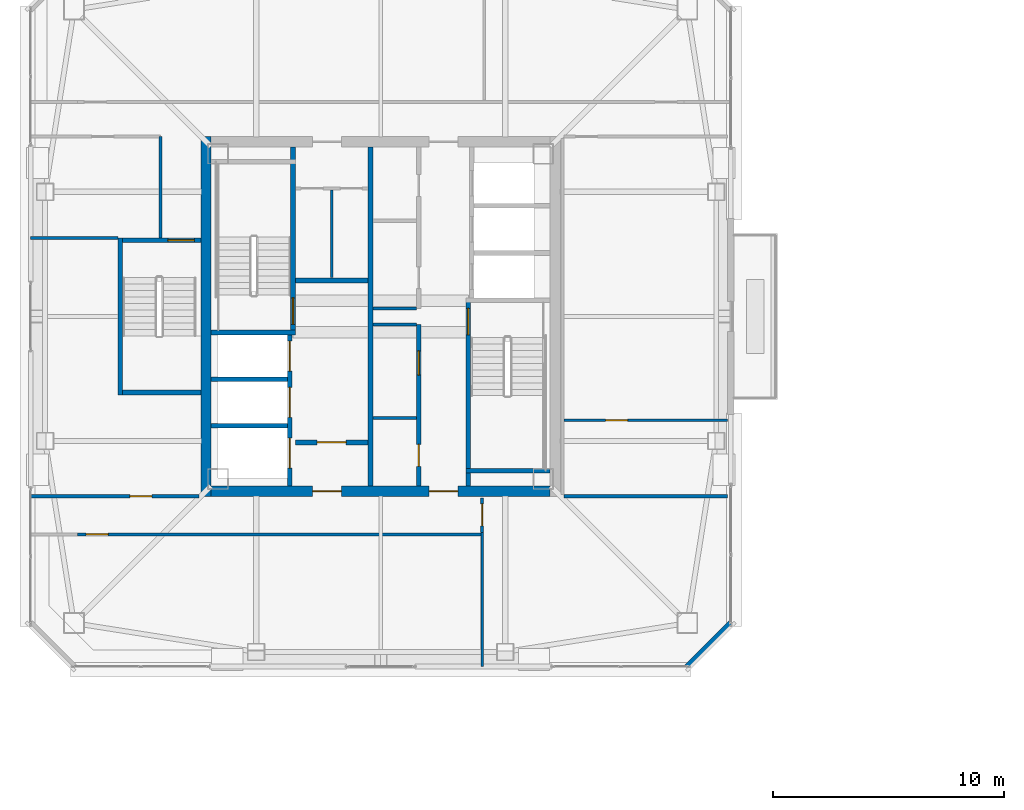
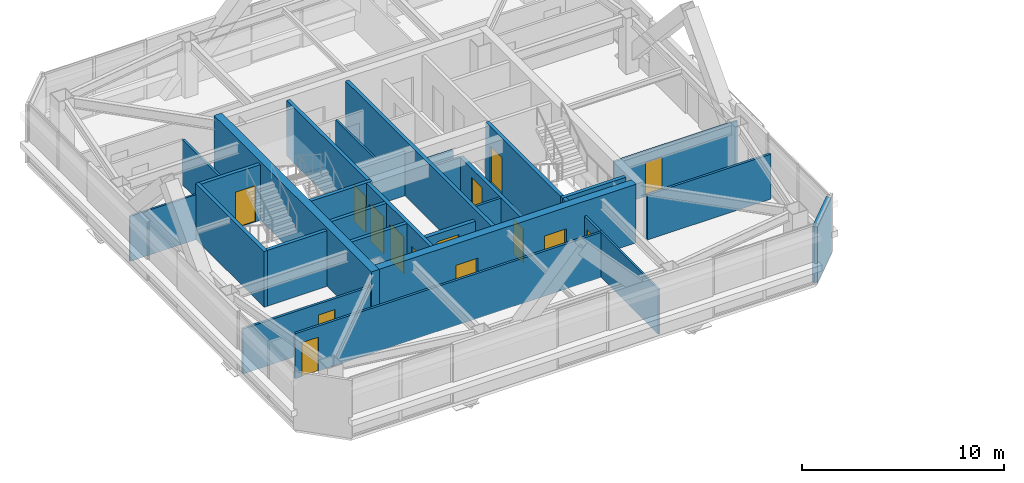
# One storey, part 19 of 24: 29 walls, 15 doors, 15 openings.
"""IFC4 building model written with IfcOpenShell, lengths in metres."""

from ifc_helpers import new_model, si_unit, direction, frame, frame_2d, origin, place, context, subcontext, project, spatial, rectangle, extrude, material, layer, layer_set, type_object, element, fill, save


model = new_model("IFC4")

# Units and contexts
model_context = context("Model", 3, precision=1e-05, world=origin(), true_north=direction((0.0, 1.0)))
body_context = subcontext(model_context, "Body", "Model", "MODEL_VIEW")
ifc_project = project(units=[si_unit("LENGTHUNIT", "METRE"), si_unit("AREAUNIT", "SQUARE_METRE"), si_unit("VOLUMEUNIT", "CUBIC_METRE"), si_unit("PLANEANGLEUNIT", "RADIAN"), si_unit("MASSUNIT", "GRAM", prefix="KILO")], contexts=[model_context])

# Site, building, storey
site_placement = place(None, origin())
site = spatial("IfcSite", under=ifc_project, at=site_placement, CompositionType="ELEMENT")
building_placement = place(site_placement, origin())
building = spatial("IfcBuilding", under=site, at=building_placement, Name="Tashvorn Skyway Center", CompositionType="ELEMENT")
storey_placement = place(building_placement, frame((0.0, 0.0, 270.5)))
storey = spatial("IfcBuildingStorey", under=building, at=storey_placement, Name="L73", CompositionType="ELEMENT", Elevation=270.5)

# Wall
ifc_material_1 = material(Name="Concrete C50/60", Category="concrete")
ifc_layer_1 = layer(ifc_material_1, 0.449951171875)
ifc_layer_set_1 = layer_set([ifc_layer_1], Name="Concrete C50/60")
wall_type_1 = type_object("IfcWallType", Name="WALL-CORE-450", PredefinedType="SHEAR", material=ifc_layer_set_1)
wall_1_placement = place(storey_placement, frame((34.425048828125, 24.199951171875, 0.0), z_axis=(0.0, 0.0, 1.0), x_axis=(0.0, 1.0, 0.0)))
element("IfcWall", 1, at=wall_1_placement, inside=storey, type_object=wall_type_1, Name="Tower 1 L73 West Core Shear Wall", PredefinedType="SHEAR", context=body_context, shape_type="SweptSolid", body=[
    extrude(rectangle(XDim=15.60009765625, YDim=0.449951171875, at=frame_2d((7.800048828125, 0.0))), origin(), (0.0, 0.0, 1.0), 3.550048828125),
])

# Wall, openings, doors
wall_2_placement = place(storey_placement, frame((49.35009765625, 24.425048828125, 0.0), z_axis=(0.0, 0.0, 1.0), x_axis=(-1.0, 0.0, 0.0)))
wall_2 = element("IfcWall", 2, at=wall_2_placement, inside=storey, type_object=wall_type_1, Name="Tower 1 L73 South Core Shear Wall", PredefinedType="SHEAR", context=body_context, shape_type="SweptSolid", body=[
    extrude(rectangle(XDim=14.7001953125, YDim=0.449951171875, at=frame_2d((7.35009765625, 0.0))), origin(), (0.0, 0.0, 1.0), 3.550048828125),
])
opening_1_placement = place(wall_2_placement, frame((9.050048828125, 0.0, 0.0)))
opening_1 = element("IfcOpeningElement", 3, at=opening_1_placement, cuts=wall_2, Name="Opening D-FFL-1250", PredefinedType="OPENING", context=body_context, shape_type="SweptSolid", body=[
    extrude(rectangle(XDim=1.25, YDim=2.25, at=frame_2d((0.625, 1.125))), frame((0.0, 0.23486328125, 0.0), z_axis=(0.0, -1.0, 0.0), x_axis=(1.0, 0.0, 0.0)), (0.0, 0.0, 1.0), 0.469970703125),
])
opening_2_placement = place(wall_2_placement, frame((4.0, 0.0, 0.0)))
opening_2 = element("IfcOpeningElement", 4, at=opening_2_placement, cuts=wall_2, Name="Opening D-FFL-1250", PredefinedType="OPENING", context=body_context, shape_type="SweptSolid", body=[
    extrude(rectangle(XDim=1.25, YDim=2.25, at=frame_2d((0.625, 1.125))), frame((0.0, 0.23486328125, 0.0), z_axis=(0.0, -1.0, 0.0), x_axis=(1.0, 0.0, 0.0)), (0.0, 0.0, 1.0), 0.469970703125),
])
ifc_material_2 = material(Name="Hollow galvanized steel fire door assembly", Category="steel")
door_type_1 = type_object("IfcDoorType", Name="DOOR-FFL-1250", OperationType="NOTDEFINED", PredefinedType="DOOR", material=ifc_material_2)
door_1_placement = place(opening_1_placement, origin())
door_1 = element("IfcDoor", 5, at=door_1_placement, inside=storey, type_object=door_type_1, Name="Tower 1 L73 Core South Firefighting Exit Door", OperationType="SINGLE_SWING_LEFT", OverallHeight=2.25, OverallWidth=1.25, PredefinedType="DOOR", context=body_context, shape_type="SweptSolid", body=[
    extrude(rectangle(XDim=1.25, YDim=2.25, at=frame_2d((0.625, 1.125))), frame((0.0, 0.02490234375, 0.0), z_axis=(0.0, -1.0, 0.0), x_axis=(1.0, 0.0, 0.0)), (0.0, 0.0, 1.0), 0.050048828125),
])
fill(opening_1, door_1)
door_2_placement = place(opening_2_placement, origin())
door_2 = element("IfcDoor", 6, at=door_2_placement, inside=storey, type_object=door_type_1, Name="Tower 1 L73 Core South Lift Lobby Door", OperationType="SINGLE_SWING_RIGHT", OverallHeight=2.25, OverallWidth=1.25, PredefinedType="DOOR", context=body_context, shape_type="SweptSolid", body=[
    extrude(rectangle(XDim=1.25, YDim=2.25, at=frame_2d((0.625, 1.125))), frame((0.0, 0.02490234375, 0.0), z_axis=(0.0, -1.0, 0.0), x_axis=(1.0, 0.0, 0.0)), (0.0, 0.0, 1.0), 0.050048828125),
])
fill(opening_2, door_2)

# Walls
ifc_material_3 = material(Name="Precast concrete C40/50", Category="concrete")
ifc_layer_2 = layer(ifc_material_3, 0.280029296875)
ifc_layer_set_2 = layer_set([ifc_layer_2], Name="Precast concrete C40/50")
wall_type_2 = type_object("IfcWallType", Name="WALL-EXT-280", PredefinedType="SOLIDWALL", material=ifc_layer_set_2)
wall_3_placement = place(storey_placement, frame((57.199951171875, 18.699951171875, 0.0), z_axis=(0.0, 0.0, 1.0), x_axis=(-0.707106781187, -0.707106781187, 0.0)))
element("IfcWall", 7, at=wall_3_placement, inside=storey, type_object=wall_type_2, Name="Tower 1 L73 SE Precast Chamfer Wall", PredefinedType="SOLIDWALL", context=body_context, shape_type="SweptSolid", body=[
    extrude(rectangle(XDim=2.686767578125, YDim=0.280029296875, at=frame_2d((1.34326171875, 0.0))), origin(), (0.0, 0.0, 1.0), 3.3701171875),
])
ifc_material_4 = material(Name="Concrete C40/50", Category="concrete")
ifc_layer_3 = layer(ifc_material_4, 0.219970703125)
ifc_layer_set_3 = layer_set([ifc_layer_3], Name="Concrete C40/50")
wall_type_3 = type_object("IfcWallType", Name="WALL-FFL-220", PredefinedType="SOLIDWALL", material=ifc_layer_set_3)
wall_4_placement = place(storey_placement, frame((38.300048828125, 33.56005859375, 0.0), z_axis=(0.0, 0.0, 1.0), x_axis=(1.0, 0.0, 0.0)))
element("IfcWall", 8, at=wall_4_placement, inside=storey, type_object=wall_type_3, Name="Tower 1 L73 Firefighting Lobby North Wall", PredefinedType="SOLIDWALL", context=body_context, shape_type="SweptSolid", body=[
    extrude(rectangle(XDim=3.14990234375, YDim=0.219970703125, at=frame_2d((1.574951171875, 0.0))), origin(), (0.0, 0.0, 1.0), 2.722900390625),
])

# Wall, opening, door
wall_5_placement = place(storey_placement, frame((38.300048828125, 26.5400390625, 0.0), z_axis=(0.0, 0.0, 1.0), x_axis=(1.0, 0.0, 0.0)))
wall_5 = element("IfcWall", 9, at=wall_5_placement, inside=storey, type_object=wall_type_3, Name="Tower 1 L73 Firefighting Lobby South Wall", PredefinedType="SOLIDWALL", context=body_context, shape_type="SweptSolid", body=[
    extrude(rectangle(XDim=3.14990234375, YDim=0.219970703125, at=frame_2d((1.574951171875, 0.0))), origin(), (0.0, 0.0, 1.0), 2.722900390625),
])
opening_3_placement = place(wall_5_placement, frame((0.949951171875, 0.0, 0.0)))
opening_3 = element("IfcOpeningElement", 10, at=opening_3_placement, cuts=wall_5, Name="Opening D-FFL-1250", PredefinedType="OPENING", context=body_context, shape_type="SweptSolid", body=[
    extrude(rectangle(XDim=1.25, YDim=2.25, at=frame_2d((0.625, 1.125))), frame((0.0, 0.119873046875, 0.0), z_axis=(0.0, -1.0, 0.0), x_axis=(1.0, 0.0, 0.0)), (0.0, 0.0, 1.0), 0.239990234375),
])
door_3_placement = place(opening_3_placement, origin())
door_3 = element("IfcDoor", 11, at=door_3_placement, inside=storey, type_object=door_type_1, Name="Tower 1 L73 Firefighting Lobby Egress Door", OperationType="SINGLE_SWING_LEFT", OverallHeight=2.25, OverallWidth=1.25, PredefinedType="DOOR", context=body_context, shape_type="SweptSolid", body=[
    extrude(rectangle(XDim=1.25, YDim=2.25, at=frame_2d((0.625, 1.125))), frame((0.0, 0.02490234375, 0.0), z_axis=(0.0, -1.0, 0.0), x_axis=(1.0, 0.0, 0.0)), (0.0, 0.0, 1.0), 0.050048828125),
])
fill(opening_3, door_3)

# Wall
ifc_material_5 = material(Name="Gypsum board on cold-formed steel stud framing", Category="steel")
ifc_layer_4 = layer(ifc_material_5, 0.110107421875)
ifc_layer_set_4 = layer_set([ifc_layer_4], Name="Gypsum board on cold-formed steel stud framing")
wall_type_4 = type_object("IfcWallType", Name="WALL-PART-110", PredefinedType="PARTITIONING", material=ifc_layer_set_4)
wall_6_placement = place(storey_placement, frame((46.39990234375, 16.820068359375, 0.0), z_axis=(0.0, 0.0, 1.0), x_axis=(0.0, 1.0, 0.0)))
element("IfcWall", 12, at=wall_6_placement, inside=storey, type_object=wall_type_4, Name="Tower 1 L73 South-East Suite Wall", PredefinedType="PARTITIONING", context=body_context, shape_type="SweptSolid", body=[
    extrude(rectangle(XDim=5.809814453125, YDim=0.110107421875, at=frame_2d((2.90478515625, 0.0))), origin(), (0.0, 0.0, 1.0), 2.722900390625),
])

# Wall, opening, door
wall_7_placement = place(storey_placement, frame((49.9599609375, 27.5, 0.0), z_axis=(0.0, 0.0, 1.0), x_axis=(1.0, 0.0, 0.0)))
wall_7 = element("IfcWall", 13, at=wall_7_placement, inside=storey, type_object=wall_type_4, Name="Tower 1 L73 East Mid Partition", PredefinedType="PARTITIONING", context=body_context, shape_type="SweptSolid", body=[
    extrude(rectangle(XDim=7.070068359375, YDim=0.110107421875, at=frame_2d((3.53515625, 0.0))), origin(), (0.0, 0.0, 1.0), 2.722900390625),
])
opening_4_placement = place(wall_7_placement, frame((1.800048828125, 0.0, 0.0)))
opening_4 = element("IfcOpeningElement", 14, at=opening_4_placement, cuts=wall_7, Name="Opening D-INT-950", PredefinedType="OPENING", context=body_context, shape_type="SweptSolid", body=[
    extrude(rectangle(XDim=0.949951171875, YDim=2.050048828125, at=frame_2d((0.47509765625, 1.02490234375))), frame((0.0, 0.06494140625, 0.0), z_axis=(0.0, -1.0, 0.0), x_axis=(1.0, 0.0, 0.0)), (0.0, 0.0, 1.0), 0.130126953125),
])
ifc_material_6 = material(Name="Solid-core architectural oak veneer door")
door_type_2 = type_object("IfcDoorType", Name="DOOR-INT-950", OperationType="NOTDEFINED", PredefinedType="DOOR", material=ifc_material_6)
door_4_placement = place(opening_4_placement, origin())
door_4 = element("IfcDoor", 15, at=door_4_placement, inside=storey, type_object=door_type_2, Name="Tower 1 L73 Corporate Office Door", OperationType="SINGLE_SWING_LEFT", OverallHeight=2.050048828125, OverallWidth=0.949951171875, PredefinedType="DOOR", context=body_context, shape_type="SweptSolid", body=[
    extrude(rectangle(XDim=0.949951171875, YDim=2.050048828125, at=frame_2d((0.47509765625, 1.02490234375))), frame((0.0, 0.02490234375, 0.0), z_axis=(0.0, -1.0, 0.0), x_axis=(1.0, 0.0, 0.0)), (0.0, 0.0, 1.0), 0.050048828125),
])
fill(opening_4, door_4)

# Walls
wall_8_placement = place(storey_placement, frame((30.60009765625, 35.39990234375, 0.0), z_axis=(0.0, 0.0, 1.0), x_axis=(-1.0, 0.0, 0.0)))
element("IfcWall", 16, at=wall_8_placement, inside=storey, type_object=wall_type_4, Name="Tower 1 L73 West Suite Partition 1", PredefinedType="PARTITIONING", context=body_context, shape_type="SweptSolid", body=[
    extrude(rectangle(XDim=3.780029296875, YDim=0.110107421875, at=frame_2d((1.89013671875, 0.0))), origin(), (0.0, 0.0, 1.0), 2.722900390625),
])
ifc_layer_5 = layer(ifc_material_5, 0.135009765625)
ifc_layer_set_5 = layer_set([ifc_layer_5], Name="Gypsum board on cold-formed steel stud framing")
wall_type_5 = type_object("IfcWallType", Name="WALL-PART-135", PredefinedType="PARTITIONING", material=ifc_layer_set_5)
wall_9_placement = place(storey_placement, frame((32.449951171875, 35.39990234375, 0.0), z_axis=(0.0, 0.0, 1.0), x_axis=(0.0, 1.0, 0.0)))
element("IfcWall", 17, at=wall_9_placement, inside=storey, type_object=wall_type_5, Name="Tower 1 L73 Stair 3 Access Corridor Wall", PredefinedType="PARTITIONING", context=body_context, shape_type="SweptSolid", body=[
    extrude(rectangle(XDim=4.400146484375, YDim=0.135009765625, at=frame_2d((2.2001953125, 0.0))), origin(), (0.0, 0.0, 1.0), 2.722900390625),
])

# Wall, opening, door
wall_10_placement = place(storey_placement, frame((46.39990234375, 22.550048828125, 0.0), z_axis=(0.0, 0.0, 1.0), x_axis=(-1.0, 0.0, 0.0)))
wall_10 = element("IfcWall", 18, at=wall_10_placement, inside=storey, type_object=wall_type_5, Name="Tower 1 L73 South Suite Wall", PredefinedType="PARTITIONING", context=body_context, shape_type="SweptSolid", body=[
    extrude(rectangle(XDim=17.5498046875, YDim=0.135009765625, at=frame_2d((8.77490234375, 0.0))), origin(), (0.0, 0.0, 1.0), 2.722900390625),
])
opening_5_placement = place(wall_10_placement, frame((16.219970703125, 0.0, 0.0)))
opening_5 = element("IfcOpeningElement", 19, at=opening_5_placement, cuts=wall_10, Name="Opening D-INT-950", PredefinedType="OPENING", context=body_context, shape_type="SweptSolid", body=[
    extrude(rectangle(XDim=0.949951171875, YDim=2.050048828125, at=frame_2d((0.47509765625, 1.02490234375))), frame((0.0, 0.077392578125, 0.0), z_axis=(0.0, -1.0, 0.0), x_axis=(1.0, 0.0, 0.0)), (0.0, 0.0, 1.0), 0.155029296875),
])
door_5_placement = place(opening_5_placement, origin())
door_5 = element("IfcDoor", 20, at=door_5_placement, inside=storey, type_object=door_type_2, Name="Tower 1 L73 Wellness Clinic Door", OperationType="SINGLE_SWING_RIGHT", OverallHeight=2.050048828125, OverallWidth=0.949951171875, PredefinedType="DOOR", context=body_context, shape_type="SweptSolid", body=[
    extrude(rectangle(XDim=0.949951171875, YDim=2.050048828125, at=frame_2d((0.47509765625, 1.02490234375))), frame((0.0, 0.02490234375, 0.0), z_axis=(0.0, -1.0, 0.0), x_axis=(1.0, 0.0, 0.0)), (0.0, 0.0, 1.0), 0.050048828125),
])
fill(opening_5, door_5)

wall_11_placement = place(storey_placement, frame((46.39990234375, 24.1201171875, 0.0), z_axis=(0.0, 0.0, 1.0), x_axis=(0.0, -1.0, 0.0)))
wall_11 = element("IfcWall", 21, at=wall_11_placement, inside=storey, type_object=wall_type_5, Name="Tower 1 L73 South Gallery End Wall", PredefinedType="PARTITIONING", context=body_context, shape_type="SweptSolid", body=[
    extrude(rectangle(XDim=1.490234375, YDim=0.135009765625, at=frame_2d((0.7451171875, 0.0))), origin(), (0.0, 0.0, 1.0), 2.722900390625),
])
opening_6_placement = place(wall_11_placement, frame((0.25, 0.0, 0.0)))
opening_6 = element("IfcOpeningElement", 22, at=opening_6_placement, cuts=wall_11, Name="Opening D-INT-950", PredefinedType="OPENING", context=body_context, shape_type="SweptSolid", body=[
    extrude(rectangle(XDim=0.949951171875, YDim=2.050048828125, at=frame_2d((0.47509765625, 1.02490234375))), frame((0.0, 0.077392578125, 0.0), z_axis=(0.0, -1.0, 0.0), x_axis=(1.0, 0.0, 0.0)), (0.0, 0.0, 1.0), 0.155029296875),
])
door_6_placement = place(opening_6_placement, origin())
door_6 = element("IfcDoor", 23, at=door_6_placement, inside=storey, type_object=door_type_2, Name="Tower 1 L73 Operations Control Room Door", OperationType="SINGLE_SWING_LEFT", OverallHeight=2.050048828125, OverallWidth=0.949951171875, PredefinedType="DOOR", context=body_context, shape_type="SweptSolid", body=[
    extrude(rectangle(XDim=0.949951171875, YDim=2.050048828125, at=frame_2d((0.47509765625, 1.02490234375))), frame((0.0, 0.02490234375, 0.0), z_axis=(0.0, -1.0, 0.0), x_axis=(1.0, 0.0, 0.0)), (0.0, 0.0, 1.0), 0.050048828125),
])
fill(opening_6, door_6)

# Wall
wall_12_placement = place(storey_placement, frame((49.9599609375, 24.199951171875, 0.0), z_axis=(0.0, 0.0, 1.0), x_axis=(1.0, 0.0, 0.0)))
element("IfcWall", 24, at=wall_12_placement, inside=storey, type_object=wall_type_5, Name="Tower 1 L73 East Suite South Wall", PredefinedType="PARTITIONING", context=body_context, shape_type="SweptSolid", body=[
    extrude(rectangle(XDim=7.070068359375, YDim=0.135009765625, at=frame_2d((3.53515625, 0.0))), origin(), (0.0, 0.0, 1.0), 2.722900390625),
])

# Wall, opening, door
wall_13_placement = place(storey_placement, frame((26.820068359375, 24.199951171875, 0.0), z_axis=(0.0, 0.0, 1.0), x_axis=(1.0, 0.0, 0.0)))
wall_13 = element("IfcWall", 25, at=wall_13_placement, inside=storey, type_object=wall_type_5, Name="Tower 1 L73 West Suite South Wall", PredefinedType="PARTITIONING", context=body_context, shape_type="SweptSolid", body=[
    extrude(rectangle(XDim=7.300048828125, YDim=0.135009765625, at=frame_2d((3.64990234375, 0.0))), origin(), (0.0, 0.0, 1.0), 2.722900390625),
])
opening_7_placement = place(wall_13_placement, frame((4.304931640625, 0.0, 0.0)))
opening_7 = element("IfcOpeningElement", 26, at=opening_7_placement, cuts=wall_13, Name="Opening D-INT-950", PredefinedType="OPENING", context=body_context, shape_type="SweptSolid", body=[
    extrude(rectangle(XDim=0.949951171875, YDim=2.050048828125, at=frame_2d((0.47509765625, 1.02490234375))), frame((0.0, 0.077392578125, 0.0), z_axis=(0.0, -1.0, 0.0), x_axis=(1.0, 0.0, 0.0)), (0.0, 0.0, 1.0), 0.155029296875),
])
door_7_placement = place(opening_7_placement, origin())
door_7 = element("IfcDoor", 27, at=door_7_placement, inside=storey, type_object=door_type_2, Name="Tower 1 L73 Public Restroom Door", OperationType="SINGLE_SWING_LEFT", OverallHeight=2.050048828125, OverallWidth=0.949951171875, PredefinedType="DOOR", context=body_context, shape_type="SweptSolid", body=[
    extrude(rectangle(XDim=0.949951171875, YDim=2.050048828125, at=frame_2d((0.47509765625, 1.02490234375))), frame((0.0, 0.02490234375, 0.0), z_axis=(0.0, -1.0, 0.0), x_axis=(1.0, 0.0, 0.0)), (0.0, 0.0, 1.0), 0.050048828125),
])
fill(opening_7, door_7)

# Walls
ifc_layer_6 = layer(ifc_material_5, 0.110107421875)
ifc_layer_set_6 = layer_set([ifc_layer_6], Name="Gypsum board on cold-formed steel stud framing")
wall_type_6 = type_object("IfcWallType", Name="WALL-RATED-110", PredefinedType="PARTITIONING", material=ifc_layer_set_6)
wall_14_placement = place(storey_placement, frame((39.8798828125, 33.679931640625, 0.0), z_axis=(0.0, 0.0, 1.0), x_axis=(0.0, 1.0, 0.0)))
element("IfcWall", 28, at=wall_14_placement, inside=storey, type_object=wall_type_6, Name="Tower 1 L73 Core Split Partition", PredefinedType="PARTITIONING", context=body_context, shape_type="SweptSolid", body=[
    extrude(rectangle(XDim=3.800048828125, YDim=0.110107421875, at=frame_2d((1.89990234375, 0.0))), origin(), (0.0, 0.0, 1.0), 2.722900390625),
])
ifc_layer_7 = layer(ifc_material_5, 0.135009765625)
ifc_layer_set_7 = layer_set([ifc_layer_7], Name="Gypsum board on cold-formed steel stud framing")
wall_type_7 = type_object("IfcWallType", Name="WALL-RATED-135", PredefinedType="PARTITIONING", material=ifc_layer_set_7)
for number, where, z_axis, x_axis, name in (
    (29, (41.669921875, 31.64990234375, 0.0), (0.0, 0.0, 1.0), (1.0, 0.0, 0.0), "Tower 1 L73 Core Room Partition"),
    (30, (41.669921875, 27.60009765625, 0.0), (0.0, 0.0, 1.0), (1.0, 0.0, 0.0), "Tower 1 L73 Freed Core Partition"),
    (31, (41.669921875, 32.35009765625, 0.0), (0.0, 0.0, 1.0), (1.0, 0.0, 0.0), "Tower 1 L73 Core Room Partition"),
):
    element("IfcWall", number, at=place(storey_placement, frame(where, z_axis=z_axis, x_axis=x_axis)), inside=storey, type_object=wall_type_7, Name=name, PredefinedType="PARTITIONING", context=body_context, shape_type="SweptSolid", body=[
        extrude(rectangle(XDim=1.880126953125, YDim=0.135009765625, at=frame_2d((0.93994140625, 0.0))), origin(), (0.0, 0.0, 1.0), 2.722900390625),
    ])
ifc_layer_8 = layer(ifc_material_4, 0.199951171875)
ifc_layer_set_8 = layer_set([ifc_layer_8], Name="Concrete C40/50")
wall_type_8 = type_object("IfcWallType", Name="WALL-SHAFT-200", PredefinedType="SOLIDWALL", material=ifc_layer_set_8)
for number, where, z_axis, x_axis, name in (
    (32, (34.64990234375, 27.25, 0.0), (0.0, 0.0, 1.0), (1.0, 0.0, 0.0), "Tower 1 L73 FSAE Shaft Divider"),
    (33, (34.64990234375, 29.280029296875, 0.0), (0.0, 0.0, 1.0), (1.0, 0.0, 0.0), "Tower 1 L73 FSAE Shaft Divider"),
):
    element("IfcWall", number, at=place(storey_placement, frame(where, z_axis=z_axis, x_axis=x_axis)), inside=storey, type_object=wall_type_8, Name=name, PredefinedType="SOLIDWALL", context=body_context, shape_type="SweptSolid", body=[
        extrude(rectangle(XDim=3.300048828125, YDim=0.199951171875, at=frame_2d((1.64990234375, 0.0))), origin(), (0.0, 0.0, 1.0), 3.3701171875),
    ])

# Wall, openings, doors
wall_15_placement = place(storey_placement, frame((43.64990234375, 24.64990234375, 0.0), z_axis=(0.0, 0.0, 1.0), x_axis=(0.0, 1.0, 0.0)))
wall_15 = element("IfcWall", 34, at=wall_15_placement, inside=storey, type_object=wall_type_8, Name="Tower 1 L73 Low-Rise Core Wall", PredefinedType="SOLIDWALL", context=body_context, shape_type="SweptSolid", body=[
    extrude(rectangle(XDim=7.0, YDim=0.199951171875, at=frame_2d((3.5, 0.0))), origin(), (0.0, 0.0, 1.0), 2.722900390625),
])
opening_8_placement = place(wall_15_placement, frame((0.85009765625, 0.0, 0.0)))
opening_8 = element("IfcOpeningElement", 35, at=opening_8_placement, cuts=wall_15, Name="Opening D-RT-950", PredefinedType="OPENING", context=body_context, shape_type="SweptSolid", body=[
    extrude(rectangle(XDim=0.949951171875, YDim=2.050048828125, at=frame_2d((0.47509765625, 1.02490234375))), frame((0.0, 0.10986328125, 0.0), z_axis=(0.0, -1.0, 0.0), x_axis=(1.0, 0.0, 0.0)), (0.0, 0.0, 1.0), 0.219970703125),
])
opening_9_placement = place(wall_15_placement, frame((4.800048828125, 0.0, 0.0)))
opening_9 = element("IfcOpeningElement", 36, at=opening_9_placement, cuts=wall_15, Name="Opening D-RT-1050", PredefinedType="OPENING", context=body_context, shape_type="SweptSolid", body=[
    extrude(rectangle(XDim=1.050048828125, YDim=2.199951171875, at=frame_2d((0.52490234375, 1.10009765625))), frame((0.0, 0.10986328125, 0.0), z_axis=(0.0, -1.0, 0.0), x_axis=(1.0, 0.0, 0.0)), (0.0, 0.0, 1.0), 0.219970703125),
])
door_type_3 = type_object("IfcDoorType", Name="DOOR-RATED-1050", OperationType="NOTDEFINED", PredefinedType="DOOR", material=ifc_material_2)
door_8_placement = place(opening_9_placement, origin())
door_8 = element("IfcDoor", 37, at=door_8_placement, inside=storey, type_object=door_type_3, Name="Tower 1 L73 Freed Core Room Door", OperationType="SINGLE_SWING_RIGHT", OverallHeight=2.199951171875, OverallWidth=1.050048828125, PredefinedType="DOOR", context=body_context, shape_type="SweptSolid", body=[
    extrude(rectangle(XDim=1.050048828125, YDim=2.199951171875, at=frame_2d((0.52490234375, 1.10009765625))), frame((0.0, 0.02490234375, 0.0), z_axis=(0.0, -1.0, 0.0), x_axis=(1.0, 0.0, 0.0)), (0.0, 0.0, 1.0), 0.050048828125),
])
fill(opening_9, door_8)
door_type_4 = type_object("IfcDoorType", Name="DOOR-RATED-950", OperationType="NOTDEFINED", PredefinedType="DOOR", material=ifc_material_2)
door_9_placement = place(opening_8_placement, origin())
door_9 = element("IfcDoor", 38, at=door_9_placement, inside=storey, type_object=door_type_4, Name="Tower 1 L73 Core Print Room Door", OperationType="SINGLE_SWING_LEFT", OverallHeight=2.050048828125, OverallWidth=0.949951171875, PredefinedType="DOOR", context=body_context, shape_type="SweptSolid", body=[
    extrude(rectangle(XDim=0.949951171875, YDim=2.050048828125, at=frame_2d((0.47509765625, 1.02490234375))), frame((0.0, 0.02490234375, 0.0), z_axis=(0.0, -1.0, 0.0), x_axis=(1.0, 0.0, 0.0)), (0.0, 0.0, 1.0), 0.050048828125),
])
fill(opening_8, door_9)

# Wall, opening, door
ifc_layer_9 = layer(ifc_material_4, 0.199951171875)
ifc_layer_set_9 = layer_set([ifc_layer_9], Name="Concrete C40/50")
wall_type_9 = type_object("IfcWallType", Name="WALL-STSHF-200", PredefinedType="SHEAR", material=ifc_layer_set_9)
wall_16_placement = place(storey_placement, frame((38.199951171875, 31.199951171875, 0.0), z_axis=(0.0, 0.0, 1.0), x_axis=(0.0, 1.0, 0.0)))
wall_16 = element("IfcWall", 39, at=wall_16_placement, inside=storey, type_object=wall_type_9, Name="Tower 1 L73 Stair 1 Enclosure Wall", PredefinedType="SHEAR", context=body_context, shape_type="SweptSolid", body=[
    extrude(rectangle(XDim=8.150146484375, YDim=0.199951171875, at=frame_2d((4.0751953125, 0.0))), origin(), (0.0, 0.0, 1.0), 3.3701171875),
])
opening_10_placement = place(wall_16_placement, frame((0.449951171875, 0.0, 0.0)))
opening_10 = element("IfcOpeningElement", 40, at=opening_10_placement, cuts=wall_16, Name="Opening D-ST-1150", PredefinedType="OPENING", context=body_context, shape_type="SweptSolid", body=[
    extrude(rectangle(XDim=1.14990234375, YDim=2.199951171875, at=frame_2d((0.574951171875, 1.10009765625))), frame((0.0, 0.10986328125, 0.0), z_axis=(0.0, -1.0, 0.0), x_axis=(1.0, 0.0, 0.0)), (0.0, 0.0, 1.0), 0.219970703125),
])
door_type_5 = type_object("IfcDoorType", Name="DOOR-STAIR-1150", OperationType="NOTDEFINED", PredefinedType="DOOR", material=ifc_material_2)
door_10_placement = place(opening_10_placement, origin())
door_10 = element("IfcDoor", 41, at=door_10_placement, inside=storey, type_object=door_type_5, Name="Tower 1 L73 Exit Stair 1 Door", OperationType="SINGLE_SWING_RIGHT", OverallHeight=2.199951171875, OverallWidth=1.14990234375, PredefinedType="DOOR", context=body_context, shape_type="SweptSolid", body=[
    extrude(rectangle(XDim=1.14990234375, YDim=2.199951171875, at=frame_2d((0.574951171875, 1.10009765625))), frame((0.0, 0.02490234375, 0.0), z_axis=(0.0, -1.0, 0.0), x_axis=(1.0, 0.0, 0.0)), (0.0, 0.0, 1.0), 0.050048828125),
])
fill(opening_10, door_10)

# Wall
wall_17_placement = place(storey_placement, frame((34.64990234375, 31.300048828125, 0.0), z_axis=(0.0, 0.0, 1.0), x_axis=(1.0, 0.0, 0.0)))
element("IfcWall", 42, at=wall_17_placement, inside=storey, type_object=wall_type_9, Name="Tower 1 L73 Stair 1 South Wall", PredefinedType="SHEAR", context=body_context, shape_type="SweptSolid", body=[
    extrude(rectangle(XDim=3.650146484375, YDim=0.199951171875, at=frame_2d((1.8251953125, 0.0))), origin(), (0.0, 0.0, 1.0), 3.3701171875),
])

# Wall, opening, door
wall_18_placement = place(storey_placement, frame((45.800048828125, 32.800048828125, 0.0), z_axis=(0.0, 0.0, 1.0), x_axis=(0.0, -1.0, 0.0)))
wall_18 = element("IfcWall", 43, at=wall_18_placement, inside=storey, type_object=wall_type_9, Name="Tower 1 L73 Stair 2 Enclosure Wall", PredefinedType="SHEAR", context=body_context, shape_type="SweptSolid", body=[
    extrude(rectangle(XDim=8.150146484375, YDim=0.199951171875, at=frame_2d((4.0751953125, 0.0))), origin(), (0.0, 0.0, 1.0), 3.3701171875),
])
opening_11_placement = place(wall_18_placement, frame((0.449951171875, 0.0, 0.0)))
opening_11 = element("IfcOpeningElement", 44, at=opening_11_placement, cuts=wall_18, Name="Opening D-ST-1150", PredefinedType="OPENING", context=body_context, shape_type="SweptSolid", body=[
    extrude(rectangle(XDim=1.14990234375, YDim=2.199951171875, at=frame_2d((0.574951171875, 1.10009765625))), frame((0.0, 0.10986328125, 0.0), z_axis=(0.0, -1.0, 0.0), x_axis=(1.0, 0.0, 0.0)), (0.0, 0.0, 1.0), 0.219970703125),
])
door_11_placement = place(opening_11_placement, origin())
door_11 = element("IfcDoor", 45, at=door_11_placement, inside=storey, type_object=door_type_5, Name="Tower 1 L73 Exit Stair 2 Door", OperationType="SINGLE_SWING_RIGHT", OverallHeight=2.199951171875, OverallWidth=1.14990234375, PredefinedType="DOOR", context=body_context, shape_type="SweptSolid", body=[
    extrude(rectangle(XDim=1.14990234375, YDim=2.199951171875, at=frame_2d((0.574951171875, 1.10009765625))), frame((0.0, 0.02490234375, 0.0), z_axis=(0.0, -1.0, 0.0), x_axis=(1.0, 0.0, 0.0)), (0.0, 0.0, 1.0), 0.050048828125),
])
fill(opening_11, door_11)

# Walls
wall_19_placement = place(storey_placement, frame((45.699951171875, 25.300048828125, 0.0), z_axis=(0.0, 0.0, 1.0), x_axis=(1.0, 0.0, 0.0)))
element("IfcWall", 46, at=wall_19_placement, inside=storey, type_object=wall_type_9, Name="Tower 1 L73 Stair 2 South Wall", PredefinedType="SHEAR", context=body_context, shape_type="SweptSolid", body=[
    extrude(rectangle(XDim=3.650146484375, YDim=0.199951171875, at=frame_2d((1.8251953125, 0.0))), origin(), (0.0, 0.0, 1.0), 3.3701171875),
])
wall_20_placement = place(storey_placement, frame((41.56005859375, 24.64990234375, 0.0), z_axis=(0.0, 0.0, 1.0), x_axis=(0.0, 1.0, 0.0)))
element("IfcWall", 47, at=wall_20_placement, inside=storey, type_object=wall_type_9, Name="Tower 1 L73 Firefighting Lobby East Smoke Barrier", PredefinedType="SHEAR", context=body_context, shape_type="SweptSolid", body=[
    extrude(rectangle(XDim=14.7001953125, YDim=0.199951171875, at=frame_2d((7.35009765625, 0.0))), origin(), (0.0, 0.0, 1.0), 3.3701171875),
])

# Wall, openings, doors
wall_21_placement = place(storey_placement, frame((38.050048828125, 24.64990234375, 0.0), z_axis=(0.0, 0.0, 1.0), x_axis=(0.0, 1.0, 0.0)))
wall_21 = element("IfcWall", 48, at=wall_21_placement, inside=storey, type_object=wall_type_9, Name="Tower 1 L73 FSAE and Goods Shaft Front Wall", PredefinedType="SHEAR", context=body_context, shape_type="SweptSolid", body=[
    extrude(rectangle(XDim=6.550048828125, YDim=0.199951171875, at=frame_2d((3.27490234375, 0.0))), origin(), (0.0, 0.0, 1.0), 3.3701171875),
])
opening_12_placement = place(wall_21_placement, frame((4.97509765625, 0.0, 0.0)))
opening_12 = element("IfcOpeningElement", 49, at=opening_12_placement, cuts=wall_21, Name="Opening LD-FF-T1-1-L73", PredefinedType="OPENING", context=body_context, shape_type="SweptSolid", body=[
    extrude(rectangle(XDim=1.300048828125, YDim=2.25, at=frame_2d((0.64990234375, 1.125))), frame((0.0, 0.10986328125, 0.0), z_axis=(0.0, -1.0, 0.0), x_axis=(1.0, 0.0, 0.0)), (0.0, 0.0, 1.0), 0.219970703125),
])
opening_13_placement = place(wall_21_placement, frame((2.97509765625, 0.0, 0.0)))
opening_13 = element("IfcOpeningElement", 50, at=opening_13_placement, cuts=wall_21, Name="Opening LD-FF-T1-2-L73", PredefinedType="OPENING", context=body_context, shape_type="SweptSolid", body=[
    extrude(rectangle(XDim=1.300048828125, YDim=2.25, at=frame_2d((0.64990234375, 1.125))), frame((0.0, 0.10986328125, 0.0), z_axis=(0.0, -1.0, 0.0), x_axis=(1.0, 0.0, 0.0)), (0.0, 0.0, 1.0), 0.219970703125),
])
opening_14_placement = place(wall_21_placement, frame((0.77490234375, 0.0, 0.0)))
opening_14 = element("IfcOpeningElement", 51, at=opening_14_placement, cuts=wall_21, Name="Opening LD-GD-T1-1-L73", PredefinedType="OPENING", context=body_context, shape_type="SweptSolid", body=[
    extrude(rectangle(XDim=1.300048828125, YDim=2.25, at=frame_2d((0.64990234375, 1.125))), frame((0.0, 0.10986328125, 0.0), z_axis=(0.0, -1.0, 0.0), x_axis=(1.0, 0.0, 0.0)), (0.0, 0.0, 1.0), 0.219970703125),
])
ifc_material_7 = material(Name="Stainless steel heavy-duty landing door", Category="steel")
door_type_6 = type_object("IfcDoorType", Name="DOOR-LIFT-1300", OperationType="SLIDING_TO_LEFT", PredefinedType="DOOR", material=ifc_material_7)
door_12_placement = place(opening_12_placement, origin())
door_12 = element("IfcDoor", 52, at=door_12_placement, inside=storey, type_object=door_type_6, Name="Lift FF-T1-1 L73 Landing Door", OperationType="SLIDING_TO_LEFT", OverallHeight=2.25, OverallWidth=1.300048828125, PredefinedType="DOOR", context=body_context, shape_type="SweptSolid", body=[
    extrude(rectangle(XDim=1.300048828125, YDim=2.25, at=frame_2d((0.64990234375, 1.125))), frame((0.0, 0.02490234375, 0.0), z_axis=(0.0, -1.0, 0.0), x_axis=(1.0, 0.0, 0.0)), (0.0, 0.0, 1.0), 0.050048828125),
])
fill(opening_12, door_12)
door_13_placement = place(opening_13_placement, origin())
door_13 = element("IfcDoor", 53, at=door_13_placement, inside=storey, type_object=door_type_6, Name="Lift FF-T1-2 L73 Landing Door", OperationType="SLIDING_TO_LEFT", OverallHeight=2.25, OverallWidth=1.300048828125, PredefinedType="DOOR", context=body_context, shape_type="SweptSolid", body=[
    extrude(rectangle(XDim=1.300048828125, YDim=2.25, at=frame_2d((0.64990234375, 1.125))), frame((0.0, 0.02490234375, 0.0), z_axis=(0.0, -1.0, 0.0), x_axis=(1.0, 0.0, 0.0)), (0.0, 0.0, 1.0), 0.050048828125),
])
fill(opening_13, door_13)
door_14_placement = place(opening_14_placement, origin())
door_14 = element("IfcDoor", 54, at=door_14_placement, inside=storey, type_object=door_type_6, Name="Lift GD-T1-1 L73 Landing Door", OperationType="SLIDING_TO_LEFT", OverallHeight=2.25, OverallWidth=1.300048828125, PredefinedType="DOOR", context=body_context, shape_type="SweptSolid", body=[
    extrude(rectangle(XDim=1.300048828125, YDim=2.25, at=frame_2d((0.64990234375, 1.125))), frame((0.0, 0.02490234375, 0.0), z_axis=(0.0, -1.0, 0.0), x_axis=(1.0, 0.0, 0.0)), (0.0, 0.0, 1.0), 0.050048828125),
])
fill(opening_14, door_14)

# Wall
wall_22_placement = place(storey_placement, frame((30.699951171875, 28.60009765625, 0.0), z_axis=(0.0, 0.0, 1.0), x_axis=(0.0, 1.0, 0.0)))
element("IfcWall", 55, at=wall_22_placement, inside=storey, type_object=wall_type_9, Name="Tower 1 L73 Stair 3 Outer Wall", PredefinedType="SHEAR", context=body_context, shape_type="SweptSolid", body=[
    extrude(rectangle(XDim=6.7998046875, YDim=0.199951171875, at=frame_2d((3.39990234375, 0.0))), origin(), (0.0, 0.0, 1.0), 3.3701171875),
])

# Wall, opening, door
wall_23_placement = place(storey_placement, frame((34.199951171875, 35.300048828125, 0.0), z_axis=(0.0, 0.0, 1.0), x_axis=(-1.0, 0.0, 0.0)))
wall_23 = element("IfcWall", 56, at=wall_23_placement, inside=storey, type_object=wall_type_9, Name="Tower 1 L73 Stair 3 Enclosure Wall", PredefinedType="SHEAR", context=body_context, shape_type="SweptSolid", body=[
    extrude(rectangle(XDim=3.39990234375, YDim=0.199951171875, at=frame_2d((1.699951171875, 0.0))), origin(), (0.0, 0.0, 1.0), 3.3701171875),
])
opening_15_placement = place(wall_23_placement, frame((0.27490234375, 0.0, 0.0)))
opening_15 = element("IfcOpeningElement", 57, at=opening_15_placement, cuts=wall_23, Name="Opening D-ST-1150", PredefinedType="OPENING", context=body_context, shape_type="SweptSolid", body=[
    extrude(rectangle(XDim=1.14990234375, YDim=2.199951171875, at=frame_2d((0.574951171875, 1.10009765625))), frame((0.0, 0.10986328125, 0.0), z_axis=(0.0, -1.0, 0.0), x_axis=(1.0, 0.0, 0.0)), (0.0, 0.0, 1.0), 0.219970703125),
])
door_15_placement = place(opening_15_placement, origin())
door_15 = element("IfcDoor", 58, at=door_15_placement, inside=storey, type_object=door_type_5, Name="Tower 1 L73 Exit Stair 3 Door", OperationType="SINGLE_SWING_RIGHT", OverallHeight=2.199951171875, OverallWidth=1.14990234375, PredefinedType="DOOR", context=body_context, shape_type="SweptSolid", body=[
    extrude(rectangle(XDim=1.14990234375, YDim=2.199951171875, at=frame_2d((0.574951171875, 1.10009765625))), frame((0.0, 0.02490234375, 0.0), z_axis=(0.0, -1.0, 0.0), x_axis=(1.0, 0.0, 0.0)), (0.0, 0.0, 1.0), 0.050048828125),
])
fill(opening_15, door_15)

# Wall
wall_24_placement = place(storey_placement, frame((30.800048828125, 28.699951171875, 0.0), z_axis=(0.0, 0.0, 1.0), x_axis=(1.0, 0.0, 0.0)))
element("IfcWall", 59, at=wall_24_placement, inside=storey, type_object=wall_type_9, Name="Tower 1 L73 Stair 3 South Wall", PredefinedType="SHEAR", context=body_context, shape_type="SweptSolid", body=[
    extrude(rectangle(XDim=3.39990234375, YDim=0.199951171875, at=frame_2d((1.699951171875, 0.0))), origin(), (0.0, 0.0, 1.0), 3.3701171875),
])

save(model, "model.ifc")
